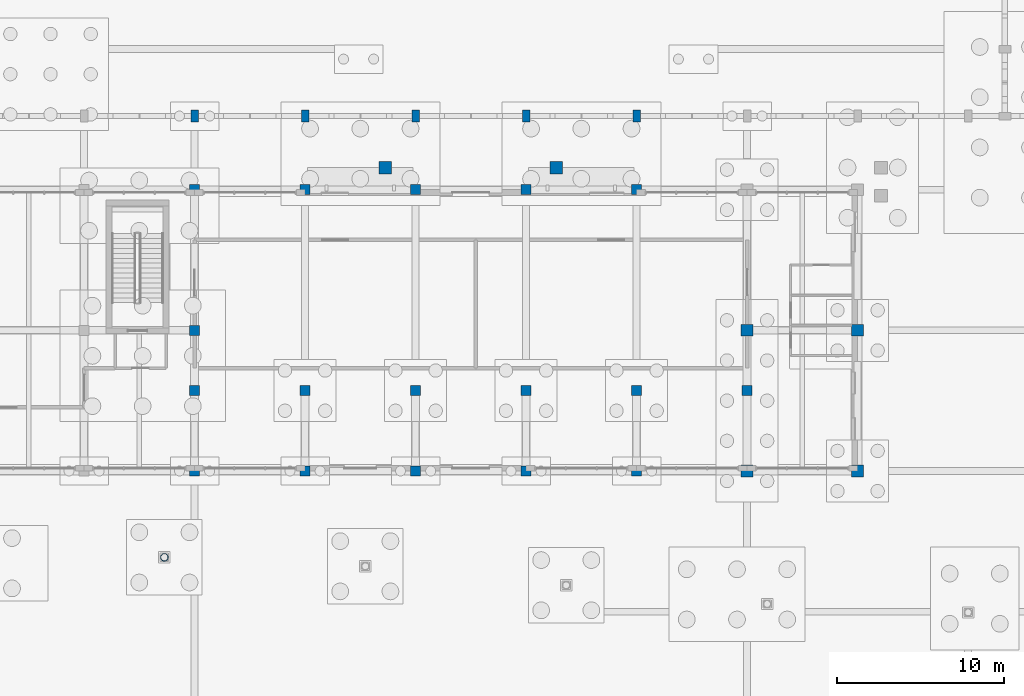
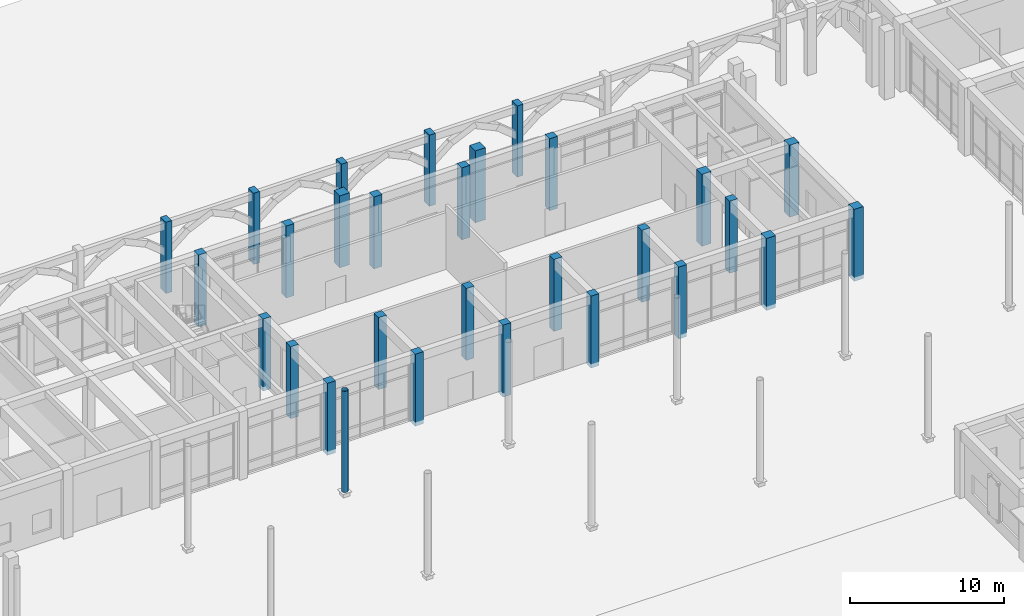
# One storey, part 16 of 82: 29 columns.
"""IFC4 building model written with IfcOpenShell, lengths in metres."""

from ifc_helpers import new_model, si_unit, direction, frame, origin, origin_2d, place, context, subcontext, project, spatial, rectangle, hollow_circle, extrude, material, material_profile, profile_set, type_object, element, save


model = new_model("IFC4")

# Units and contexts
model_context = context("Model", 3, precision=1e-05, world=origin(), true_north=direction((0.0, 1.0)))
body_context = subcontext(model_context, "Body", "Model", "MODEL_VIEW")
ifc_project = project(units=[si_unit("LENGTHUNIT", "METRE"), si_unit("AREAUNIT", "SQUARE_METRE"), si_unit("VOLUMEUNIT", "CUBIC_METRE"), si_unit("PLANEANGLEUNIT", "RADIAN"), si_unit("MASSUNIT", "GRAM", prefix="KILO")], contexts=[model_context])

# Site, building, storey
site_placement = place(None, origin())
site = spatial("IfcSite", under=ifc_project, at=site_placement, CompositionType="ELEMENT")
building_placement = place(site_placement, origin())
building = spatial("IfcBuilding", under=site, at=building_placement, Name="Kolvaren Faculty of Natural Sciences", CompositionType="ELEMENT")
storey_placement = place(building_placement, origin())
storey = spatial("IfcBuildingStorey", under=building, at=storey_placement, Name="L00", CompositionType="ELEMENT", Elevation=0.0)

# Columns
ifc_material_1 = material(Name="Concrete C35/45", Category="concrete")
ifc_material_profile_1 = material_profile(ifc_material_1, rectangle(XDim=0.60009765625, YDim=0.60009765625, at=origin_2d()), Name="RC COL 600x600")
ifc_profile_set_1 = profile_set([ifc_material_profile_1], Name="Concrete C35/45")
column_type_1 = type_object("IfcColumnType", Name="FrameColumn_600x600", PredefinedType="COLUMN", material=ifc_profile_set_1)
for number, where, z_axis, x_axis, name in (
    (1, (66.199951171875, 67.39990234375, -0.320068359375), (0.0, 0.0, 1.0), (1.0, 0.0, 0.0), "L00 column FC-60 at 11/J"),
    (2, (66.199951171875, 75.800048828125, -0.320068359375), (0.0, 0.0, 1.0), (1.0, 0.0, 0.0), "L00 column FC-60 at 11/K"),
    (3, (66.199951171875, 84.199951171875, -0.320068359375), (0.0, 0.0, 1.0), (1.0, 0.0, 0.0), "L00 column FC-60 at 11/L"),
    (4, (72.800048828125, 67.39990234375, -0.320068359375), (0.0, 0.0, 1.0), (1.0, 0.0, 0.0), "L00 column FC-60 at 12/J"),
    (5, (72.800048828125, 84.199951171875, -0.320068359375), (0.0, 0.0, 1.0), (1.0, 0.0, 0.0), "L00 column FC-60 at 12/L"),
    (6, (79.39990234375, 67.39990234375, -0.320068359375), (0.0, 0.0, 1.0), (1.0, 0.0, 0.0), "L00 column FC-60 at 13/J"),
    (7, (79.39990234375, 84.199951171875, -0.320068359375), (0.0, 0.0, 1.0), (1.0, 0.0, 0.0), "L00 column FC-60 at 13/L"),
    (8, (86.0, 67.39990234375, -0.320068359375), (0.0, 0.0, 1.0), (1.0, 0.0, 0.0), "L00 column FC-60 at 14/J"),
    (9, (86.0, 84.199951171875, -0.320068359375), (0.0, 0.0, 1.0), (1.0, 0.0, 0.0), "L00 column FC-60 at 14/L"),
    (10, (92.60009765625, 67.39990234375, -0.320068359375), (0.0, 0.0, 1.0), (1.0, 0.0, 0.0), "L00 column FC-60 at 15/J"),
    (11, (92.60009765625, 84.199951171875, -0.320068359375), (0.0, 0.0, 1.0), (1.0, 0.0, 0.0), "L00 column FC-60 at 15/L"),
    (12, (66.199951171875, 72.199951171875, -0.320068359375), (0.0, 0.0, 1.0), (1.0, 0.0, 0.0), "L00 atrium vault springing column FC-60 at X=66.2"),
    (13, (72.800048828125, 72.199951171875, -0.320068359375), (0.0, 0.0, 1.0), (1.0, 0.0, 0.0), "L00 atrium vault springing column FC-60 at X=72.8"),
    (14, (79.39990234375, 72.199951171875, -0.320068359375), (0.0, 0.0, 1.0), (1.0, 0.0, 0.0), "L00 atrium vault springing column FC-60 at X=79.4"),
    (15, (86.0, 72.199951171875, -0.320068359375), (0.0, 0.0, 1.0), (1.0, 0.0, 0.0), "L00 atrium vault springing column FC-60 at X=86.0"),
    (16, (92.60009765625, 72.199951171875, -0.320068359375), (0.0, 0.0, 1.0), (1.0, 0.0, 0.0), "L00 atrium vault springing column FC-60 at X=92.6"),
    (17, (99.199951171875, 72.199951171875, -0.320068359375), (0.0, 0.0, 1.0), (1.0, 0.0, 0.0), "L00 atrium vault springing column FC-60 at X=99.2"),
):
    element("IfcColumn", number, at=place(storey_placement, frame(where, z_axis=z_axis, x_axis=x_axis)), inside=storey, type_object=column_type_1, Name=name, PredefinedType="COLUMN", context=body_context, shape_type="SweptSolid", body=[
        extrude(rectangle(XDim=0.60009765625, YDim=0.60009765625, at=origin_2d()), origin(), (0.0, 0.0, 1.0), 5.719970703125),
    ])
ifc_material_profile_2 = material_profile(ifc_material_1, rectangle(XDim=0.449951171875, YDim=0.699951171875, at=origin_2d()), Name="RC PIL 450x700")
ifc_profile_set_2 = profile_set([ifc_material_profile_2], Name="Concrete C35/45")
column_type_2 = type_object("IfcColumnType", Name="RiwaqPilaster_450x700", PredefinedType="PILASTER", material=ifc_profile_set_2)
for number, where, z_axis, x_axis, name in (
    (18, (66.199951171875, 88.60009765625, -0.320068359375), (0.0, 0.0, 1.0), (1.0, 0.0, 0.0), "Riwaq colonnade pilaster PL-45 S-11"),
    (19, (72.800048828125, 88.60009765625, -0.320068359375), (0.0, 0.0, 1.0), (1.0, 0.0, 0.0), "Riwaq colonnade pilaster PL-45 S-12"),
    (20, (79.39990234375, 88.60009765625, -0.320068359375), (0.0, 0.0, 1.0), (1.0, 0.0, 0.0), "Riwaq colonnade pilaster PL-45 S-13"),
    (21, (86.0, 88.60009765625, -0.320068359375), (0.0, 0.0, 1.0), (1.0, 0.0, 0.0), "Riwaq colonnade pilaster PL-45 S-14"),
    (22, (92.60009765625, 88.60009765625, -0.320068359375), (0.0, 0.0, 1.0), (1.0, 0.0, 0.0), "Riwaq colonnade pilaster PL-45 S-15"),
):
    element("IfcColumn", number, at=place(storey_placement, frame(where, z_axis=z_axis, x_axis=x_axis)), inside=storey, type_object=column_type_2, Name=name, PredefinedType="PILASTER", context=body_context, shape_type="SweptSolid", body=[
        extrude(rectangle(XDim=0.449951171875, YDim=0.699951171875, at=origin_2d()), origin(), (0.0, 0.0, 1.0), 5.66015625),
    ])
ifc_material_2 = material(Name="Structural steel EN 10210-1 S355J2H (white architectural finish)", Category="steel")
ifc_material_profile_3 = material_profile(ifc_material_2, hollow_circle(Radius=0.228515625, WallThickness=0.01611328125, at=origin_2d()), Name="CHS 457x16")
ifc_profile_set_3 = profile_set([ifc_material_profile_3], Name="Structural steel EN 10210-1 S355J2H (white architectural finish)")
column_type_3 = type_object("IfcColumnType", Name="SteelTreeTrunk_CHS457", PredefinedType="COLUMN", material=ifc_profile_set_3)
column_placement = place(storey_placement, frame((64.39990234375, 62.244384765625, 0.35009765625), z_axis=(0.0, 0.0, 1.0), x_axis=(1.0, 0.0, 0.0)))
element("IfcColumn", 23, at=column_placement, inside=storey, type_object=column_type_3, Name="Covered street white steel tree trunk TREE-04", PredefinedType="COLUMN", context=body_context, shape_type="SweptSolid", body=[
    extrude(hollow_circle(Radius=0.228515625, WallThickness=0.01611328125, at=origin_2d()), origin(), (0.0, 0.0, 1.0), 8.0498046875),
])
ifc_material_3 = material(Name="Concrete C40/50", Category="concrete")
ifc_material_profile_4 = material_profile(ifc_material_3, rectangle(XDim=0.75, YDim=0.75, at=origin_2d()), Name="RC COL 750x750")
ifc_profile_set_4 = profile_set([ifc_material_profile_4], Name="Concrete C40/50")
column_type_4 = type_object("IfcColumnType", Name="TowerColumn_750x750", PredefinedType="COLUMN", material=ifc_profile_set_4)
for number, where, z_axis, x_axis, name in (
    (24, (77.60009765625, 85.5, -0.320068359375), (0.0, 0.0, 1.0), (1.0, 0.0, 0.0), "North Civic Square Grand Atrium Pishtaq Portal monumental pier L (L00)"),
    (25, (87.800048828125, 85.5, -0.320068359375), (0.0, 0.0, 1.0), (1.0, 0.0, 0.0), "North Civic Square Grand Atrium Pishtaq Portal monumental pier R (L00)"),
):
    element("IfcColumn", number, at=place(storey_placement, frame(where, z_axis=z_axis, x_axis=x_axis)), inside=storey, type_object=column_type_4, Name=name, PredefinedType="COLUMN", context=body_context, shape_type="SweptSolid", body=[
        extrude(rectangle(XDim=0.75, YDim=0.75, at=origin_2d()), origin(), (0.0, 0.0, 1.0), 5.719970703125),
    ])
ifc_material_profile_5 = material_profile(ifc_material_3, rectangle(XDim=0.699951171875, YDim=0.699951171875, at=origin_2d()), Name="RC COL 700x700")
ifc_profile_set_5 = profile_set([ifc_material_profile_5], Name="Concrete C40/50")
column_type_5 = type_object("IfcColumnType", Name="WingColumn_700x700", PredefinedType="COLUMN", material=ifc_profile_set_5)
for number, where, z_axis, x_axis, name in (
    (26, (99.199951171875, 67.39990234375, -0.320068359375), (0.0, 0.0, 1.0), (1.0, 0.0, 0.0), "L00 column WC-70 at 16/J"),
    (27, (99.199951171875, 75.800048828125, -0.320068359375), (0.0, 0.0, 1.0), (1.0, 0.0, 0.0), "L00 column WC-70 at 16/K"),
    (28, (105.800048828125, 67.39990234375, -0.320068359375), (0.0, 0.0, 1.0), (1.0, 0.0, 0.0), "L00 column WC-70 at 17/J"),
    (29, (105.800048828125, 75.800048828125, -0.320068359375), (0.0, 0.0, 1.0), (1.0, 0.0, 0.0), "L00 column WC-70 at 17/K"),
):
    element("IfcColumn", number, at=place(storey_placement, frame(where, z_axis=z_axis, x_axis=x_axis)), inside=storey, type_object=column_type_5, Name=name, PredefinedType="COLUMN", context=body_context, shape_type="SweptSolid", body=[
        extrude(rectangle(XDim=0.699951171875, YDim=0.699951171875, at=origin_2d()), origin(), (0.0, 0.0, 1.0), 5.719970703125),
    ])

save(model, "model.ifc")
